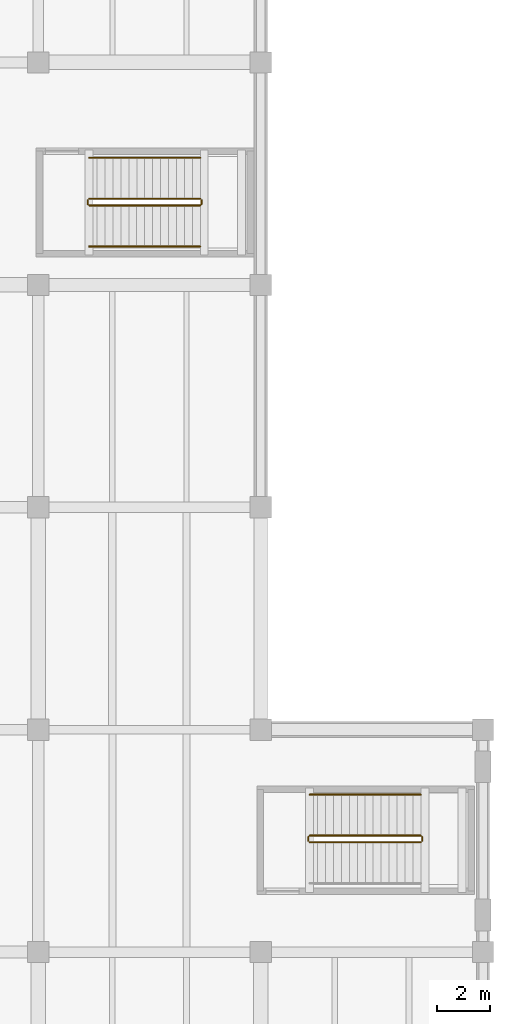
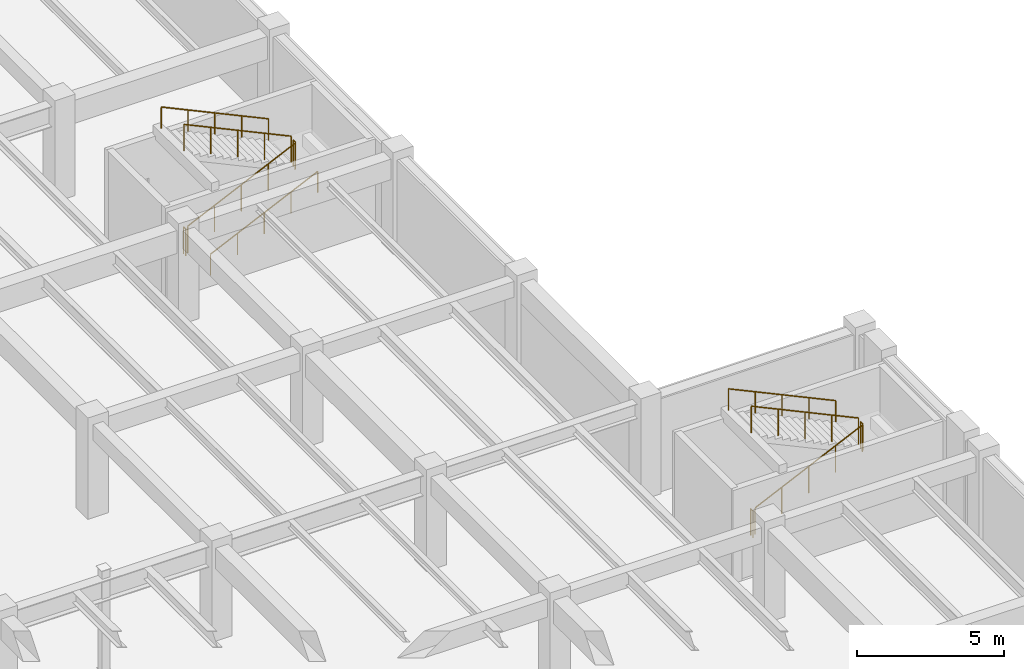
# One storey, part 62 of 63: 11 railings.
"""IFC4 building model written with IfcOpenShell, lengths in metres."""

from ifc_helpers import new_model, si_unit, direction, frame, origin, origin_2d, place, context, subcontext, project, spatial, circle, extrude, material, type_object, element, save


model = new_model("IFC4")

# Units and contexts
model_context = context("Model", 3, precision=1e-05, world=origin(), true_north=direction((0.0, 1.0)))
body_context = subcontext(model_context, "Body", "Model", "MODEL_VIEW")
ifc_project = project(units=[si_unit("LENGTHUNIT", "METRE"), si_unit("AREAUNIT", "SQUARE_METRE"), si_unit("VOLUMEUNIT", "CUBIC_METRE"), si_unit("PLANEANGLEUNIT", "RADIAN"), si_unit("MASSUNIT", "GRAM", prefix="KILO")], contexts=[model_context])

# Site, building, storey
site_placement = place(None, origin())
site = spatial("IfcSite", under=ifc_project, at=site_placement, CompositionType="ELEMENT")
building_placement = place(site_placement, origin())
building = spatial("IfcBuilding", under=site, at=building_placement, Name="Cumbredor Promenade Congress Hotel", CompositionType="ELEMENT")
storey_placement = place(building_placement, frame((0.0, 0.0, -4.199951171875)))
storey = spatial("IfcBuildingStorey", under=building, at=storey_placement, Name="B01", CompositionType="ELEMENT", Elevation=-4.199951171875)

# Railings
ifc_material = material(Name="Brushed stainless steel", Category="steel")
railing_type_1 = type_object("IfcRailingType", Name="Interior Void & Stair Guardrail GR-1100", PredefinedType="GUARDRAIL", material=ifc_material)
railing_1_placement = place(storey_placement, frame((178.25, 62.949951171875, 0.139892578125)))
element("IfcRailing", 1, at=railing_1_placement, inside=storey, type_object=railing_type_1, Name="B01 ST-10 stair guard 1", PredefinedType="GUARDRAIL", context=body_context, shape_type="SweptSolid", body=[
    extrude(circle(Radius=0.02392578125, at=origin_2d()), frame((0.0, 0.0, 1.09619140625), z_axis=(0.906184485727, 0.0, 0.422882581609), x_axis=(0.0, 1.0, 0.0)), (0.0, 0.0, 1.0), 4.634765625),
    extrude(circle(Radius=0.02099609375, at=origin_2d()), origin(), (0.0, 0.0, 1.0), 1.072021484375),
    extrude(circle(Radius=0.02099609375, at=origin_2d()), frame((1.050048828125, 0.0, 0.489990234375)), (0.0, 0.0, 1.0), 1.072021484375),
    extrude(circle(Radius=0.02099609375, at=origin_2d()), frame((2.10009765625, 0.0, 0.97998046875)), (0.0, 0.0, 1.0), 1.072021484375),
    extrude(circle(Radius=0.02099609375, at=origin_2d()), frame((3.14990234375, 0.0, 1.469970703125)), (0.0, 0.0, 1.0), 1.072021484375),
    extrude(circle(Radius=0.02099609375, at=origin_2d()), frame((4.199951171875, 0.0, 1.9599609375)), (0.0, 0.0, 1.0), 1.072021484375),
])
railing_2_placement = place(storey_placement, frame((182.5, 63.0, 2.099853515625)))
element("IfcRailing", 2, at=railing_2_placement, inside=storey, type_object=railing_type_1, Name="B01 ST-10 stair guard 2", PredefinedType="GUARDRAIL", context=body_context, shape_type="SweptSolid", body=[
    extrude(circle(Radius=0.02392578125, at=origin_2d()), frame((0.0, 0.0, 1.09619140625), z_axis=(0.0, 1.0, 0.0), x_axis=(-1.0, 0.0, 0.0)), (0.0, 0.0, 1.0), 0.14990234375),
    extrude(circle(Radius=0.02099609375, at=origin_2d()), origin(), (0.0, 0.0, 1.0), 1.072021484375),
    extrude(circle(Radius=0.02099609375, at=origin_2d()), frame((0.0, 0.14990234375, 0.0)), (0.0, 0.0, 1.0), 1.072021484375),
])
railing_3_placement = place(storey_placement, frame((182.449951171875, 63.199951171875, 2.239990234375)))
element("IfcRailing", 3, at=railing_3_placement, inside=storey, type_object=railing_type_1, Name="B01 ST-10 stair guard 3", PredefinedType="GUARDRAIL", context=body_context, shape_type="SweptSolid", body=[
    extrude(circle(Radius=0.02392578125, at=origin_2d()), frame((0.0, 0.0, 1.09619140625), z_axis=(-0.906184485727, 0.0, 0.422882581609), x_axis=(0.0, -1.0, 0.0)), (0.0, 0.0, 1.0), 4.634765625),
    extrude(circle(Radius=0.02099609375, at=origin_2d()), origin(), (0.0, 0.0, 1.0), 1.072021484375),
    extrude(circle(Radius=0.02099609375, at=origin_2d()), frame((-1.050048828125, 0.0, 0.489990234375)), (0.0, 0.0, 1.0), 1.072021484375),
    extrude(circle(Radius=0.02099609375, at=origin_2d()), frame((-2.10009765625, 0.0, 0.97998046875)), (0.0, 0.0, 1.0), 1.072021484375),
    extrude(circle(Radius=0.02099609375, at=origin_2d()), frame((-3.14990234375, 0.0, 1.469970703125)), (0.0, 0.0, 1.0), 1.072021484375),
    extrude(circle(Radius=0.02099609375, at=origin_2d()), frame((-4.199951171875, 0.0, 1.9599609375)), (0.0, 0.0, 1.0), 1.072021484375),
])
railing_4_placement = place(storey_placement, frame((178.199951171875, 63.0, 0.0)))
element("IfcRailing", 4, at=railing_4_placement, inside=storey, type_object=railing_type_1, Name="B01 ST-10 stair guard 4", PredefinedType="GUARDRAIL", context=body_context, shape_type="SweptSolid", body=[
    extrude(circle(Radius=0.02392578125, at=origin_2d()), frame((0.0, 0.0, 1.09619140625), z_axis=(0.0, 1.0, 0.0), x_axis=(-1.0, 0.0, 0.0)), (0.0, 0.0, 1.0), 0.14990234375),
    extrude(circle(Radius=0.02099609375, at=origin_2d()), origin(), (0.0, 0.0, 1.0), 1.072021484375),
    extrude(circle(Radius=0.02099609375, at=origin_2d()), frame((0.0, 0.14990234375, 0.0)), (0.0, 0.0, 1.0), 1.072021484375),
])
railing_5_placement = place(storey_placement, frame((169.919921875, 87.0, 0.139892578125)))
element("IfcRailing", 5, at=railing_5_placement, inside=storey, type_object=railing_type_1, Name="B01 ST-14 stair guard 1", PredefinedType="GUARDRAIL", context=body_context, shape_type="SweptSolid", body=[
    extrude(circle(Radius=0.02392578125, at=origin_2d()), frame((0.0, 0.0, 1.09619140625), z_axis=(0.906193905077, 0.0, 0.422862396533), x_axis=(0.0, 1.0, 0.0)), (0.0, 0.0, 1.0), 4.635009765625),
    extrude(circle(Radius=0.02099609375, at=origin_2d()), origin(), (0.0, 0.0, 1.0), 1.072021484375),
    extrude(circle(Radius=0.02099609375, at=origin_2d()), frame((1.050048828125, 0.0, 0.489990234375)), (0.0, 0.0, 1.0), 1.072021484375),
    extrude(circle(Radius=0.02099609375, at=origin_2d()), frame((2.10009765625, 0.0, 0.97998046875)), (0.0, 0.0, 1.0), 1.072021484375),
    extrude(circle(Radius=0.02099609375, at=origin_2d()), frame((3.150146484375, 0.0, 1.469970703125)), (0.0, 0.0, 1.0), 1.072021484375),
    extrude(circle(Radius=0.02099609375, at=origin_2d()), frame((4.2001953125, 0.0, 1.9599609375)), (0.0, 0.0, 1.0), 1.072021484375),
])
railing_6_placement = place(storey_placement, frame((174.169921875, 87.050048828125, 2.099853515625)))
element("IfcRailing", 6, at=railing_6_placement, inside=storey, type_object=railing_type_1, Name="B01 ST-14 stair guard 2", PredefinedType="GUARDRAIL", context=body_context, shape_type="SweptSolid", body=[
    extrude(circle(Radius=0.02392578125, at=origin_2d()), frame((0.0, 0.0, 1.09619140625), z_axis=(0.0, 1.0, 0.0), x_axis=(-1.0, 0.0, 0.0)), (0.0, 0.0, 1.0), 0.14990234375),
    extrude(circle(Radius=0.02099609375, at=origin_2d()), origin(), (0.0, 0.0, 1.0), 1.072021484375),
    extrude(circle(Radius=0.02099609375, at=origin_2d()), frame((0.0, 0.14990234375, 0.0)), (0.0, 0.0, 1.0), 1.072021484375),
])
railing_7_placement = place(storey_placement, frame((174.1201171875, 87.25, 2.239990234375)))
element("IfcRailing", 7, at=railing_7_placement, inside=storey, type_object=railing_type_1, Name="B01 ST-14 stair guard 3", PredefinedType="GUARDRAIL", context=body_context, shape_type="SweptSolid", body=[
    extrude(circle(Radius=0.02392578125, at=origin_2d()), frame((0.0, 0.0, 1.09619140625), z_axis=(-0.906193905077, 0.0, 0.422862396533), x_axis=(0.0, -1.0, 0.0)), (0.0, 0.0, 1.0), 4.635009765625),
    extrude(circle(Radius=0.02099609375, at=origin_2d()), origin(), (0.0, 0.0, 1.0), 1.072021484375),
    extrude(circle(Radius=0.02099609375, at=origin_2d()), frame((-1.050048828125, 0.0, 0.489990234375)), (0.0, 0.0, 1.0), 1.072021484375),
    extrude(circle(Radius=0.02099609375, at=origin_2d()), frame((-2.10009765625, 0.0, 0.97998046875)), (0.0, 0.0, 1.0), 1.072021484375),
    extrude(circle(Radius=0.02099609375, at=origin_2d()), frame((-3.150146484375, 0.0, 1.469970703125)), (0.0, 0.0, 1.0), 1.072021484375),
    extrude(circle(Radius=0.02099609375, at=origin_2d()), frame((-4.2001953125, 0.0, 1.9599609375)), (0.0, 0.0, 1.0), 1.072021484375),
])
railing_8_placement = place(storey_placement, frame((169.8701171875, 87.050048828125, 0.0)))
element("IfcRailing", 8, at=railing_8_placement, inside=storey, type_object=railing_type_1, Name="B01 ST-14 stair guard 4", PredefinedType="GUARDRAIL", context=body_context, shape_type="SweptSolid", body=[
    extrude(circle(Radius=0.02392578125, at=origin_2d()), frame((0.0, 0.0, 1.09619140625), z_axis=(0.0, 1.0, 0.0), x_axis=(-1.0, 0.0, 0.0)), (0.0, 0.0, 1.0), 0.14990234375),
    extrude(circle(Radius=0.02099609375, at=origin_2d()), origin(), (0.0, 0.0, 1.0), 1.072021484375),
    extrude(circle(Radius=0.02099609375, at=origin_2d()), frame((0.0, 0.14990234375, 0.0)), (0.0, 0.0, 1.0), 1.072021484375),
])
railing_type_2 = type_object("IfcRailingType", Name="Stair Pitch Handrail HR-900", PredefinedType="HANDRAIL", material=ifc_material)
railing_9_placement = place(storey_placement, frame((182.449951171875, 64.75, 2.239990234375)))
element("IfcRailing", 9, at=railing_9_placement, inside=storey, type_object=railing_type_2, Name="B01 ST-10 stair handrail 2", PredefinedType="HANDRAIL", context=body_context, shape_type="SweptSolid", body=[
    extrude(circle(Radius=0.02392578125, at=origin_2d()), frame((0.0, 0.0, 0.8759765625), z_axis=(-0.906184485727, 0.0, 0.422882581609), x_axis=(0.0, -1.0, 0.0)), (0.0, 0.0, 1.0), 4.634765625),
    extrude(circle(Radius=0.02099609375, at=origin_2d()), origin(), (0.0, 0.0, 1.0), 0.851806640625),
    extrude(circle(Radius=0.02099609375, at=origin_2d()), frame((-1.050048828125, 0.0, 0.489990234375)), (0.0, 0.0, 1.0), 0.851806640625),
    extrude(circle(Radius=0.02099609375, at=origin_2d()), frame((-2.10009765625, 0.0, 0.97998046875)), (0.0, 0.0, 1.0), 0.851806640625),
    extrude(circle(Radius=0.02099609375, at=origin_2d()), frame((-3.14990234375, 0.0, 1.469970703125)), (0.0, 0.0, 1.0), 0.851806640625),
    extrude(circle(Radius=0.02099609375, at=origin_2d()), frame((-4.199951171875, 0.0, 1.9599609375)), (0.0, 0.0, 1.0), 0.851806640625),
])
railing_10_placement = place(storey_placement, frame((169.919921875, 85.449951171875, 0.139892578125)))
element("IfcRailing", 10, at=railing_10_placement, inside=storey, type_object=railing_type_2, Name="B01 ST-14 stair handrail 1", PredefinedType="HANDRAIL", context=body_context, shape_type="SweptSolid", body=[
    extrude(circle(Radius=0.02392578125, at=origin_2d()), frame((0.0, 0.0, 0.8759765625), z_axis=(0.906193905077, 0.0, 0.422862396533), x_axis=(0.0, 1.0, 0.0)), (0.0, 0.0, 1.0), 4.635009765625),
    extrude(circle(Radius=0.02099609375, at=origin_2d()), origin(), (0.0, 0.0, 1.0), 0.851806640625),
    extrude(circle(Radius=0.02099609375, at=origin_2d()), frame((1.050048828125, 0.0, 0.489990234375)), (0.0, 0.0, 1.0), 0.851806640625),
    extrude(circle(Radius=0.02099609375, at=origin_2d()), frame((2.10009765625, 0.0, 0.97998046875)), (0.0, 0.0, 1.0), 0.851806640625),
    extrude(circle(Radius=0.02099609375, at=origin_2d()), frame((3.150146484375, 0.0, 1.469970703125)), (0.0, 0.0, 1.0), 0.851806640625),
    extrude(circle(Radius=0.02099609375, at=origin_2d()), frame((4.2001953125, 0.0, 1.9599609375)), (0.0, 0.0, 1.0), 0.851806640625),
])
railing_11_placement = place(storey_placement, frame((174.1201171875, 88.800048828125, 2.239990234375)))
element("IfcRailing", 11, at=railing_11_placement, inside=storey, type_object=railing_type_2, Name="B01 ST-14 stair handrail 2", PredefinedType="HANDRAIL", context=body_context, shape_type="SweptSolid", body=[
    extrude(circle(Radius=0.02392578125, at=origin_2d()), frame((0.0, 0.0, 0.8759765625), z_axis=(-0.906193905077, 0.0, 0.422862396533), x_axis=(0.0, -1.0, 0.0)), (0.0, 0.0, 1.0), 4.635009765625),
    extrude(circle(Radius=0.02099609375, at=origin_2d()), origin(), (0.0, 0.0, 1.0), 0.851806640625),
    extrude(circle(Radius=0.02099609375, at=origin_2d()), frame((-1.050048828125, 0.0, 0.489990234375)), (0.0, 0.0, 1.0), 0.851806640625),
    extrude(circle(Radius=0.02099609375, at=origin_2d()), frame((-2.10009765625, 0.0, 0.97998046875)), (0.0, 0.0, 1.0), 0.851806640625),
    extrude(circle(Radius=0.02099609375, at=origin_2d()), frame((-3.150146484375, 0.0, 1.469970703125)), (0.0, 0.0, 1.0), 0.851806640625),
    extrude(circle(Radius=0.02099609375, at=origin_2d()), frame((-4.2001953125, 0.0, 1.9599609375)), (0.0, 0.0, 1.0), 0.851806640625),
])

save(model, "model.ifc")
